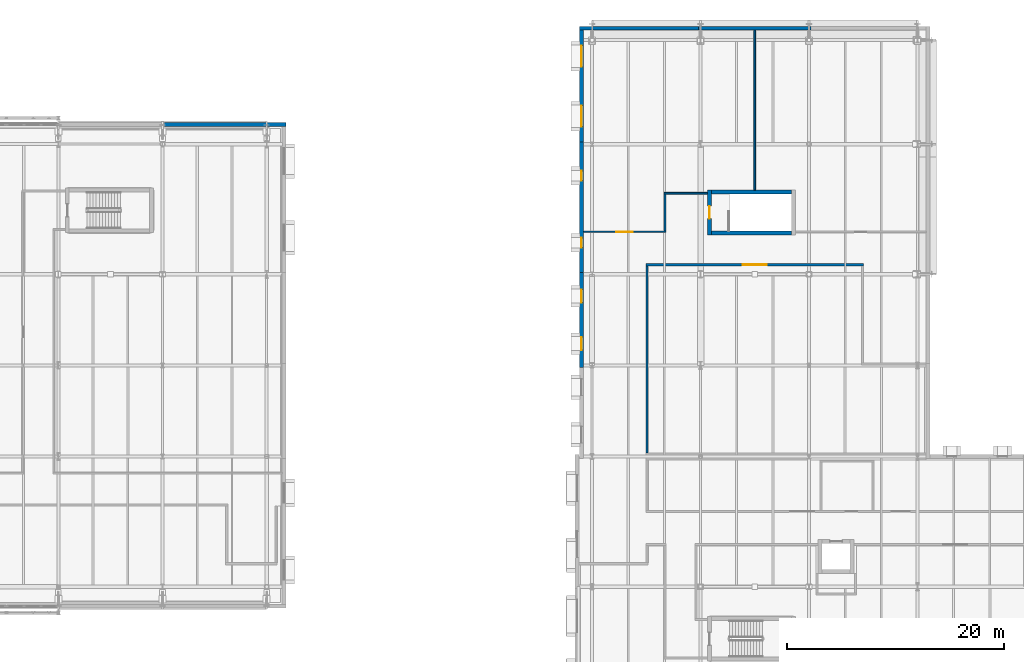
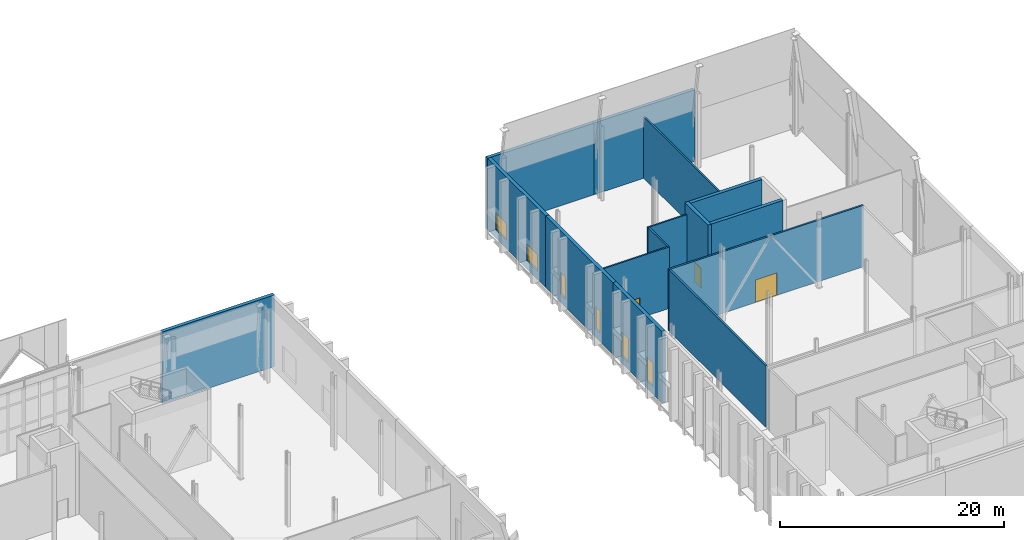
# One storey, part 61 of 79: 15 walls, 6 windows, 3 doors, 9 openings.
"""IFC4 building model written with IfcOpenShell, lengths in metres."""

from ifc_helpers import new_model, si_unit, direction, frame, frame_2d, origin, place, context, subcontext, project, spatial, rectangle, extrude, material, layer, layer_set, type_object, element, fill, save


model = new_model("IFC4")

# Units and contexts
model_context = context("Model", 3, precision=1e-05, world=origin(), true_north=direction((0.0, 1.0)))
body_context = subcontext(model_context, "Body", "Model", "MODEL_VIEW")
ifc_project = project(units=[si_unit("LENGTHUNIT", "METRE"), si_unit("AREAUNIT", "SQUARE_METRE"), si_unit("VOLUMEUNIT", "CUBIC_METRE"), si_unit("PLANEANGLEUNIT", "RADIAN"), si_unit("MASSUNIT", "GRAM", prefix="KILO")], contexts=[model_context])

# Site, building, storey
site_placement = place(None, origin())
site = spatial("IfcSite", under=ifc_project, at=site_placement, CompositionType="ELEMENT")
building_placement = place(site_placement, origin())
building = spatial("IfcBuilding", under=site, at=building_placement, Name="Zereglee Splitstone Museum", CompositionType="ELEMENT")
storey_placement = place(building_placement, frame((0.0, 0.0, 9.0)))
storey = spatial("IfcBuildingStorey", under=building, at=storey_placement, Name="L02", CompositionType="ELEMENT", Elevation=9.0)

# Wall, opening, door
ifc_material_1 = material(Name="Concrete C45/55", Category="concrete")
ifc_layer_1 = layer(ifc_material_1, 0.360107421875)
ifc_layer_set_1 = layer_set([ifc_layer_1], Name="Concrete C45/55")
wall_type_1 = type_object("IfcWallType", Name="CSW-02", PredefinedType="SHEAR", material=ifc_layer_set_1)
wall_1_placement = place(storey_placement, frame((186.02001953125, 42.0400390625, 0.0), z_axis=(0.0, 0.0, 1.0), x_axis=(0.0, 1.0, 0.0)))
wall_1 = element("IfcWall", 1, at=wall_1_placement, inside=storey, type_object=wall_type_1, Name="Stair Core Shear Wall ST-07 L02 West", PredefinedType="SHEAR", context=body_context, shape_type="SweptSolid", body=[
    extrude(rectangle(XDim=4.119873046875, YDim=0.360107421875, at=frame_2d((2.06005859375, 0.0))), origin(), (0.0, 0.0, 1.0), 7.820068359375),
])
opening_1_placement = place(wall_1_placement, frame((1.485107421875, 0.0, 0.0)))
opening_1 = element("IfcOpeningElement", 2, at=opening_1_placement, cuts=wall_1, Name="Opening ID-03", PredefinedType="OPENING", context=body_context, shape_type="SweptSolid", body=[
    extrude(rectangle(XDim=1.14990234375, YDim=2.14990234375, at=frame_2d((0.574951171875, 1.074951171875))), frame((0.0, 0.19482421875, 0.0), z_axis=(0.0, -1.0, 0.0), x_axis=(1.0, 0.0, 0.0)), (0.0, 0.0, 1.0), 0.389892578125),
])
ifc_material_2 = material(Name="Fire-rated steel and Siberian larch leaf", Category="steel")
door_type_1 = type_object("IfcDoorType", Name="ID-03", OperationType="NOTDEFINED", PredefinedType="DOOR", material=ifc_material_2)
door_1_placement = place(opening_1_placement, origin())
door_1 = element("IfcDoor", 3, at=door_1_placement, inside=storey, type_object=door_type_1, Name="Protected Stair Fire Door ST-07 L02", OperationType="SINGLE_SWING_RIGHT", OverallHeight=2.14990234375, OverallWidth=1.14990234375, PredefinedType="DOOR", context=body_context, shape_type="SweptSolid", body=[
    extrude(rectangle(XDim=1.14990234375, YDim=2.14990234375, at=frame_2d((0.574951171875, 1.074951171875))), frame((0.0, 0.02490234375, 0.0), z_axis=(0.0, -1.0, 0.0), x_axis=(1.0, 0.0, 0.0)), (0.0, 0.0, 1.0), 0.050048828125),
])
fill(opening_1, door_1)

# Walls
for number, where, z_axis, x_axis, name in (
    (4, (186.199951171875, 45.97998046875, 0.0), (0.0, 0.0, 1.0), (1.0, 0.0, 0.0), "Stair Core Shear Wall ST-07 L02 North"),
    (5, (186.199951171875, 42.219970703125, 0.0), (0.0, 0.0, 1.0), (1.0, 0.0, 0.0), "Stair Core Shear Wall ST-07 L02 South"),
):
    element("IfcWall", number, at=place(storey_placement, frame(where, z_axis=z_axis, x_axis=x_axis)), inside=storey, type_object=wall_type_1, Name=name, PredefinedType="SHEAR", context=body_context, shape_type="SweptSolid", body=[
        extrude(rectangle(XDim=7.400146484375, YDim=0.360107421875, at=frame_2d((3.7001953125, 0.0))), origin(), (0.0, 0.0, 1.0), 7.820068359375),
    ])
ifc_material_3 = material(Name="Precast concrete C40/50", Category="concrete")
ifc_layer_2 = layer(ifc_material_3, 0.35009765625)
ifc_layer_set_2 = layer_set([ifc_layer_2], Name="Precast concrete C40/50")
wall_type_2 = type_object("IfcWallType", Name="EW-01", PredefinedType="STANDARD", material=ifc_layer_set_2)
wall_2_placement = place(storey_placement, frame((195.3798828125, 61.080078125, 0.0), z_axis=(0.0, 0.0, 1.0), x_axis=(-1.0, 0.0, 0.0)))
element("IfcWall", 6, at=wall_2_placement, inside=storey, type_object=wall_type_2, Name="Exterior Backup Wall RC4-EW-L02-0124", PredefinedType="STANDARD", context=body_context, shape_type="SweptSolid", body=[
    extrude(rectangle(XDim=10.35986328125, YDim=0.35009765625, at=frame_2d((5.179931640625, 0.0))), origin(), (0.0, 0.0, 1.0), 7.800048828125),
])
wall_3_placement = place(storey_placement, frame((185.3798828125, 61.080078125, 0.0), z_axis=(0.0, 0.0, 1.0), x_axis=(-1.0, 0.0, 0.0)))
element("IfcWall", 7, at=wall_3_placement, inside=storey, type_object=wall_type_2, Name="Exterior Backup Wall RC4-EW-L02-0125", PredefinedType="STANDARD", context=body_context, shape_type="SweptSolid", body=[
    extrude(rectangle(XDim=11.33984375, YDim=0.35009765625, at=frame_2d((5.669921875, 0.0))), origin(), (0.0, 0.0, 1.0), 7.800048828125),
])

# Wall, openings, windows
wall_4_placement = place(storey_placement, frame((174.219970703125, 61.260009765625, 0.0), z_axis=(0.0, 0.0, 1.0), x_axis=(0.0, -1.0, 0.0)))
wall_4 = element("IfcWall", 8, at=wall_4_placement, inside=storey, type_object=wall_type_2, Name="Exterior Backup Wall RC4-EW-L02-0126", PredefinedType="STANDARD", context=body_context, shape_type="SweptSolid", body=[
    extrude(rectangle(XDim=11.0400390625, YDim=0.35009765625, at=frame_2d((5.52001953125, 0.0))), origin(), (0.0, 0.0, 1.0), 7.800048828125),
])
opening_2_placement = place(wall_4_placement, frame((1.784912109375, 0.0, 0.89990234375)))
opening_2 = element("IfcOpeningElement", 9, at=opening_2_placement, cuts=wall_4, Name="Opening EW-W19", PredefinedType="OPENING", context=body_context, shape_type="SweptSolid", body=[
    extrude(rectangle(XDim=1.949951171875, YDim=1.800048828125, at=frame_2d((0.97509765625, 0.89990234375))), frame((0.0, 0.18994140625, 0.0), z_axis=(0.0, -1.0, 0.0), x_axis=(1.0, 0.0, 0.0)), (0.0, 0.0, 1.0), 0.3798828125),
])
opening_3_placement = place(wall_4_placement, frame((7.304931640625, 0.0, 0.89990234375)))
opening_3 = element("IfcOpeningElement", 10, at=opening_3_placement, cuts=wall_4, Name="Opening EW-W19", PredefinedType="OPENING", context=body_context, shape_type="SweptSolid", body=[
    extrude(rectangle(XDim=1.949951171875, YDim=1.800048828125, at=frame_2d((0.97509765625, 0.89990234375))), frame((0.0, 0.18994140625, 0.0), z_axis=(0.0, -1.0, 0.0), x_axis=(1.0, 0.0, 0.0)), (0.0, 0.0, 1.0), 0.3798828125),
])
ifc_material_4 = material(Name="Thermally broken aluminium frame with triple low-e glazing", Category="aluminium")
window_type_1 = type_object("IfcWindowType", Name="EW-W19", PartitioningType="DOUBLE_PANEL_VERTICAL", PredefinedType="WINDOW", material=ifc_material_4)
window_1_placement = place(opening_2_placement, origin())
window_1 = element("IfcWindow", 11, at=window_1_placement, inside=storey, type_object=window_type_1, Name="Mughal Deep-Reveal Gallery Window L02-0073", OverallHeight=1.800048828125, OverallWidth=1.949951171875, PartitioningType="SINGLE_PANEL", PredefinedType="WINDOW", context=body_context, shape_type="SweptSolid", body=[
    extrude(rectangle(XDim=1.949951171875, YDim=1.800048828125, at=frame_2d((0.97509765625, 0.89990234375))), frame((0.0, 0.030029296875, 0.0), z_axis=(0.0, -1.0, 0.0), x_axis=(1.0, 0.0, 0.0)), (0.0, 0.0, 1.0), 0.06005859375),
])
fill(opening_2, window_1)
window_2_placement = place(opening_3_placement, origin())
window_2 = element("IfcWindow", 12, at=window_2_placement, inside=storey, type_object=window_type_1, Name="Mughal Deep-Reveal Gallery Window L02-0074", OverallHeight=1.800048828125, OverallWidth=1.949951171875, PartitioningType="SINGLE_PANEL", PredefinedType="WINDOW", context=body_context, shape_type="SweptSolid", body=[
    extrude(rectangle(XDim=1.949951171875, YDim=1.800048828125, at=frame_2d((0.97509765625, 0.89990234375))), frame((0.0, 0.030029296875, 0.0), z_axis=(0.0, -1.0, 0.0), x_axis=(1.0, 0.0, 0.0)), (0.0, 0.0, 1.0), 0.06005859375),
])
fill(opening_3, window_2)

wall_5_placement = place(storey_placement, frame((174.219970703125, 50.580078125, 0.0), z_axis=(0.0, 0.0, 1.0), x_axis=(0.0, -1.0, 0.0)))
wall_5 = element("IfcWall", 13, at=wall_5_placement, inside=storey, type_object=wall_type_2, Name="Exterior Backup Wall RC4-EW-L02-0127", PredefinedType="STANDARD", context=body_context, shape_type="SweptSolid", body=[
    extrude(rectangle(XDim=12.360107421875, YDim=0.35009765625, at=frame_2d((6.18017578125, 0.0))), origin(), (0.0, 0.0, 1.0), 7.800048828125),
])
opening_4_placement = place(wall_5_placement, frame((2.639892578125, 0.0, 0.89990234375)))
opening_4 = element("IfcOpeningElement", 14, at=opening_4_placement, cuts=wall_5, Name="Opening EW-W01", PredefinedType="OPENING", context=body_context, shape_type="SweptSolid", body=[
    extrude(rectangle(XDim=0.89990234375, YDim=2.39990234375, at=frame_2d((0.449951171875, 1.199951171875))), frame((0.0, 0.18994140625, 0.0), z_axis=(0.0, -1.0, 0.0), x_axis=(1.0, 0.0, 0.0)), (0.0, 0.0, 1.0), 0.3798828125),
])
opening_5_placement = place(wall_5_placement, frame((8.820068359375, 0.0, 0.89990234375)))
opening_5 = element("IfcOpeningElement", 15, at=opening_5_placement, cuts=wall_5, Name="Opening EW-W01", PredefinedType="OPENING", context=body_context, shape_type="SweptSolid", body=[
    extrude(rectangle(XDim=0.89990234375, YDim=2.39990234375, at=frame_2d((0.449951171875, 1.199951171875))), frame((0.0, 0.18994140625, 0.0), z_axis=(0.0, -1.0, 0.0), x_axis=(1.0, 0.0, 0.0)), (0.0, 0.0, 1.0), 0.3798828125),
])
window_type_2 = type_object("IfcWindowType", Name="EW-W01", PartitioningType="SINGLE_PANEL", PredefinedType="WINDOW", material=ifc_material_4)
window_3_placement = place(opening_4_placement, origin())
window_3 = element("IfcWindow", 16, at=window_3_placement, inside=storey, type_object=window_type_2, Name="Mughal Deep-Reveal Gallery Window L02-0075", OverallHeight=2.39990234375, OverallWidth=0.89990234375, PartitioningType="SINGLE_PANEL", PredefinedType="WINDOW", context=body_context, shape_type="SweptSolid", body=[
    extrude(rectangle(XDim=0.89990234375, YDim=2.39990234375, at=frame_2d((0.449951171875, 1.199951171875))), frame((0.0, 0.030029296875, 0.0), z_axis=(0.0, -1.0, 0.0), x_axis=(1.0, 0.0, 0.0)), (0.0, 0.0, 1.0), 0.06005859375),
])
fill(opening_4, window_3)
window_4_placement = place(opening_5_placement, origin())
window_4 = element("IfcWindow", 17, at=window_4_placement, inside=storey, type_object=window_type_2, Name="Mughal Deep-Reveal Gallery Window L02-0076", OverallHeight=2.39990234375, OverallWidth=0.89990234375, PartitioningType="SINGLE_PANEL", PredefinedType="WINDOW", context=body_context, shape_type="SweptSolid", body=[
    extrude(rectangle(XDim=0.89990234375, YDim=2.39990234375, at=frame_2d((0.449951171875, 1.199951171875))), frame((0.0, 0.030029296875, 0.0), z_axis=(0.0, -1.0, 0.0), x_axis=(1.0, 0.0, 0.0)), (0.0, 0.0, 1.0), 0.06005859375),
])
fill(opening_5, window_4)

wall_6_placement = place(storey_placement, frame((174.219970703125, 38.580078125, 0.0), z_axis=(0.0, 0.0, 1.0), x_axis=(0.0, -1.0, 0.0)))
wall_6 = element("IfcWall", 18, at=wall_6_placement, inside=storey, type_object=wall_type_2, Name="Exterior Backup Wall RC4-EW-L02-0128", PredefinedType="STANDARD", context=body_context, shape_type="SweptSolid", body=[
    extrude(rectangle(XDim=8.760009765625, YDim=0.35009765625, at=frame_2d((4.3798828125, 0.0))), origin(), (0.0, 0.0, 1.0), 7.800048828125),
])
opening_6_placement = place(wall_6_placement, frame((1.590087890625, 0.0, 0.800048828125)))
opening_6 = element("IfcOpeningElement", 19, at=opening_6_placement, cuts=wall_6, Name="Opening EW-W03", PredefinedType="OPENING", context=body_context, shape_type="SweptSolid", body=[
    extrude(rectangle(XDim=1.199951171875, YDim=2.60009765625, at=frame_2d((0.60009765625, 1.300048828125))), frame((0.0, 0.18994140625, 0.0), z_axis=(0.0, -1.0, 0.0), x_axis=(1.0, 0.0, 0.0)), (0.0, 0.0, 1.0), 0.3798828125),
])
opening_7_placement = place(wall_6_placement, frame((5.969970703125, 0.0, 0.800048828125)))
opening_7 = element("IfcOpeningElement", 20, at=opening_7_placement, cuts=wall_6, Name="Opening EW-W03", PredefinedType="OPENING", context=body_context, shape_type="SweptSolid", body=[
    extrude(rectangle(XDim=1.199951171875, YDim=2.60009765625, at=frame_2d((0.60009765625, 1.300048828125))), frame((0.0, 0.18994140625, 0.0), z_axis=(0.0, -1.0, 0.0), x_axis=(1.0, 0.0, 0.0)), (0.0, 0.0, 1.0), 0.3798828125),
])
window_type_3 = type_object("IfcWindowType", Name="EW-W03", PartitioningType="DOUBLE_PANEL_VERTICAL", PredefinedType="WINDOW", material=ifc_material_4)
window_5_placement = place(opening_6_placement, origin())
window_5 = element("IfcWindow", 21, at=window_5_placement, inside=storey, type_object=window_type_3, Name="Mughal Deep-Reveal Gallery Window L02-0077", OverallHeight=2.60009765625, OverallWidth=1.199951171875, PartitioningType="SINGLE_PANEL", PredefinedType="WINDOW", context=body_context, shape_type="SweptSolid", body=[
    extrude(rectangle(XDim=1.199951171875, YDim=2.60009765625, at=frame_2d((0.60009765625, 1.300048828125))), frame((0.0, 0.030029296875, 0.0), z_axis=(0.0, -1.0, 0.0), x_axis=(1.0, 0.0, 0.0)), (0.0, 0.0, 1.0), 0.06005859375),
])
fill(opening_6, window_5)
window_6_placement = place(opening_7_placement, origin())
window_6 = element("IfcWindow", 22, at=window_6_placement, inside=storey, type_object=window_type_3, Name="Mughal Deep-Reveal Gallery Window L02-0078", OverallHeight=2.60009765625, OverallWidth=1.199951171875, PartitioningType="SINGLE_PANEL", PredefinedType="WINDOW", context=body_context, shape_type="SweptSolid", body=[
    extrude(rectangle(XDim=1.199951171875, YDim=2.60009765625, at=frame_2d((0.60009765625, 1.300048828125))), frame((0.0, 0.030029296875, 0.0), z_axis=(0.0, -1.0, 0.0), x_axis=(1.0, 0.0, 0.0)), (0.0, 0.0, 1.0), 0.06005859375),
])
fill(opening_7, window_6)

# Wall
wall_7_placement = place(storey_placement, frame((146.97998046875, 52.199951171875, 0.0), z_axis=(0.0, 0.0, 1.0), x_axis=(-1.0, 0.0, 0.0)))
element("IfcWall", 23, at=wall_7_placement, inside=storey, type_object=wall_type_2, Name="Exterior Backup Wall RC4-EW-L02-0160", PredefinedType="STANDARD", context=body_context, shape_type="SweptSolid", body=[
    extrude(rectangle(XDim=11.56005859375, YDim=0.35009765625, at=frame_2d((5.780029296875, 0.0))), origin(), (0.0, 0.0, 1.0), 7.800048828125),
])

# Wall, opening, door
ifc_material_5 = material(Name="Fire-rated gypsum board partition", Category="masonry")
ifc_layer_3 = layer(ifc_material_5, 0.159912109375)
ifc_layer_set_3 = layer_set([ifc_layer_3], Name="Fire-rated gypsum board partition")
wall_type_3 = type_object("IfcWallType", Name="IW-04", PredefinedType="PARTITIONING", material=ifc_layer_set_3)
wall_8_placement = place(storey_placement, frame((174.39501953125, 42.320068359375, 0.0), z_axis=(0.0, 0.0, 1.0), x_axis=(1.0, 0.0, 0.0)))
wall_8 = element("IfcWall", 24, at=wall_8_placement, inside=storey, type_object=wall_type_3, Name="Interior Partition L02-0502 (Lapidary Conservation Laboratory)", PredefinedType="PARTITIONING", context=body_context, shape_type="SweptSolid", body=[
    extrude(rectangle(XDim=7.60498046875, YDim=0.159912109375, at=frame_2d((3.802490234375, 0.0))), origin(), (0.0, 0.0, 1.0), 6.699951171875),
])
opening_8_placement = place(wall_8_placement, frame((3.052490234375, 0.0, 0.0)))
opening_8 = element("IfcOpeningElement", 25, at=opening_8_placement, cuts=wall_8, Name="Opening ID-07", PredefinedType="OPENING", context=body_context, shape_type="SweptSolid", body=[
    extrude(rectangle(XDim=1.5, YDim=2.199951171875, at=frame_2d((0.75, 1.10009765625))), frame((0.0, 0.0947265625, 0.0), z_axis=(0.0, -1.0, 0.0), x_axis=(1.0, 0.0, 0.0)), (0.0, 0.0, 1.0), 0.189697265625),
])
door_type_2 = type_object("IfcDoorType", Name="ID-07", OperationType="NOTDEFINED", PredefinedType="DOOR", material=ifc_material_2)
door_2_placement = place(opening_8_placement, origin())
door_2 = element("IfcDoor", 26, at=door_2_placement, inside=storey, type_object=door_type_2, Name="Interior Door L02-0094 (Lapidary Conservation Laboratory)", OperationType="DOUBLE_DOOR_SINGLE_SWING", OverallHeight=2.199951171875, OverallWidth=1.5, PredefinedType="DOOR", context=body_context, shape_type="SweptSolid", body=[
    extrude(rectangle(XDim=1.5, YDim=2.199951171875, at=frame_2d((0.75, 1.10009765625))), frame((0.0, 0.02490234375, 0.0), z_axis=(0.0, -1.0, 0.0), x_axis=(1.0, 0.0, 0.0)), (0.0, 0.0, 1.0), 0.050048828125),
])
fill(opening_8, door_2)

# Walls
wall_9_placement = place(storey_placement, frame((181.840087890625, 45.8798828125, 0.0), z_axis=(0.0, 0.0, 1.0), x_axis=(1.0, 0.0, 0.0)))
element("IfcWall", 27, at=wall_9_placement, inside=storey, type_object=wall_type_3, Name="Interior Partition L02-0506 (Lapidary Conservation Laboratory)", PredefinedType="PARTITIONING", context=body_context, shape_type="SweptSolid", body=[
    extrude(rectangle(XDim=4.0, YDim=0.159912109375, at=frame_2d((2.0, 0.0))), origin(), (0.0, 0.0, 1.0), 6.699951171875),
])
wall_10_placement = place(storey_placement, frame((181.919921875, 42.39990234375, 0.0), z_axis=(0.0, 0.0, 1.0), x_axis=(0.0, 1.0, 0.0)))
element("IfcWall", 28, at=wall_10_placement, inside=storey, type_object=wall_type_3, Name="Interior Partition L02-0545 (Lapidary Conservation Laboratory)", PredefinedType="PARTITIONING", context=body_context, shape_type="SweptSolid", body=[
    extrude(rectangle(XDim=3.400146484375, YDim=0.159912109375, at=frame_2d((1.7001953125, 0.0))), origin(), (0.0, 0.0, 1.0), 6.699951171875),
])
wall_11_placement = place(storey_placement, frame((190.199951171875, 46.159912109375, 0.0), z_axis=(0.0, 0.0, 1.0), x_axis=(0.0, 1.0, 0.0)))
element("IfcWall", 29, at=wall_11_placement, inside=storey, type_object=wall_type_3, Name="Interior Partition L02-0547 (Lapidary Conservation Laboratory)", PredefinedType="PARTITIONING", context=body_context, shape_type="SweptSolid", body=[
    extrude(rectangle(XDim=14.7451171875, YDim=0.159912109375, at=frame_2d((7.37255859375, 0.0))), origin(), (0.0, 0.0, 1.0), 6.699951171875),
])

# Wall, opening, door
ifc_material_6 = material(Name="Gypsum board on acoustic steel stud", Category="steel")
ifc_layer_4 = layer(ifc_material_6, 0.18994140625)
ifc_layer_set_4 = layer_set([ifc_layer_4], Name="Gypsum board on acoustic steel stud")
wall_type_4 = type_object("IfcWallType", Name="IW-02", PredefinedType="PARTITIONING", material=ifc_layer_set_4)
wall_12_placement = place(storey_placement, frame((180.18505859375, 39.280029296875, 0.0), z_axis=(0.0, 0.0, 1.0), x_axis=(1.0, 0.0, 0.0)))
wall_12 = element("IfcWall", 30, at=wall_12_placement, inside=storey, type_object=wall_type_4, Name="Interior Partition L02-0500 (Meteoritics Exhibition Room)", PredefinedType="PARTITIONING", context=body_context, shape_type="SweptSolid", body=[
    extrude(rectangle(XDim=20.030029296875, YDim=0.18994140625, at=frame_2d((10.01513671875, 0.0))), origin(), (0.0, 0.0, 1.0), 6.699951171875),
])
opening_9_placement = place(wall_12_placement, frame((8.9150390625, 0.0, 0.0)))
opening_9 = element("IfcOpeningElement", 31, at=opening_9_placement, cuts=wall_12, Name="Opening ID-01", PredefinedType="OPENING", context=body_context, shape_type="SweptSolid", body=[
    extrude(rectangle(XDim=2.199951171875, YDim=2.449951171875, at=frame_2d((1.10009765625, 1.22509765625))), frame((0.0, 0.10986328125, 0.0), z_axis=(0.0, -1.0, 0.0), x_axis=(1.0, 0.0, 0.0)), (0.0, 0.0, 1.0), 0.2197265625),
])
door_type_3 = type_object("IfcDoorType", Name="ID-01", OperationType="NOTDEFINED", PredefinedType="DOOR", material=ifc_material_2)
door_3_placement = place(opening_9_placement, frame((2.199951171875, 0.0, 0.0), z_axis=(0.0, 0.0, 1.0), x_axis=(-1.0, 0.0, 0.0)))
door_3 = element("IfcDoor", 32, at=door_3_placement, inside=storey, type_object=door_type_3, Name="Interior Door L02-0093 (Meteoritics Exhibition Room)", OperationType="DOUBLE_DOOR_SINGLE_SWING", OverallHeight=2.449951171875, OverallWidth=2.199951171875, PredefinedType="DOOR", context=body_context, shape_type="SweptSolid", body=[
    extrude(rectangle(XDim=2.199951171875, YDim=2.449951171875, at=frame_2d((1.10009765625, 1.22509765625))), frame((0.0, 0.02490234375, 0.0), z_axis=(0.0, -1.0, 0.0), x_axis=(1.0, 0.0, 0.0)), (0.0, 0.0, 1.0), 0.050048828125),
])
fill(opening_9, door_3)

# Wall
wall_13_placement = place(storey_placement, frame((180.280029296875, 21.93505859375, 0.0), z_axis=(0.0, 0.0, 1.0), x_axis=(0.0, 1.0, 0.0)))
element("IfcWall", 33, at=wall_13_placement, inside=storey, type_object=wall_type_4, Name="Interior Partition L02-0543 (Meteoritics Exhibition Room)", PredefinedType="PARTITIONING", context=body_context, shape_type="SweptSolid", body=[
    extrude(rectangle(XDim=17.25, YDim=0.18994140625, at=frame_2d((8.625, 0.0))), origin(), (0.0, 0.0, 1.0), 6.699951171875),
])

save(model, "model.ifc")
